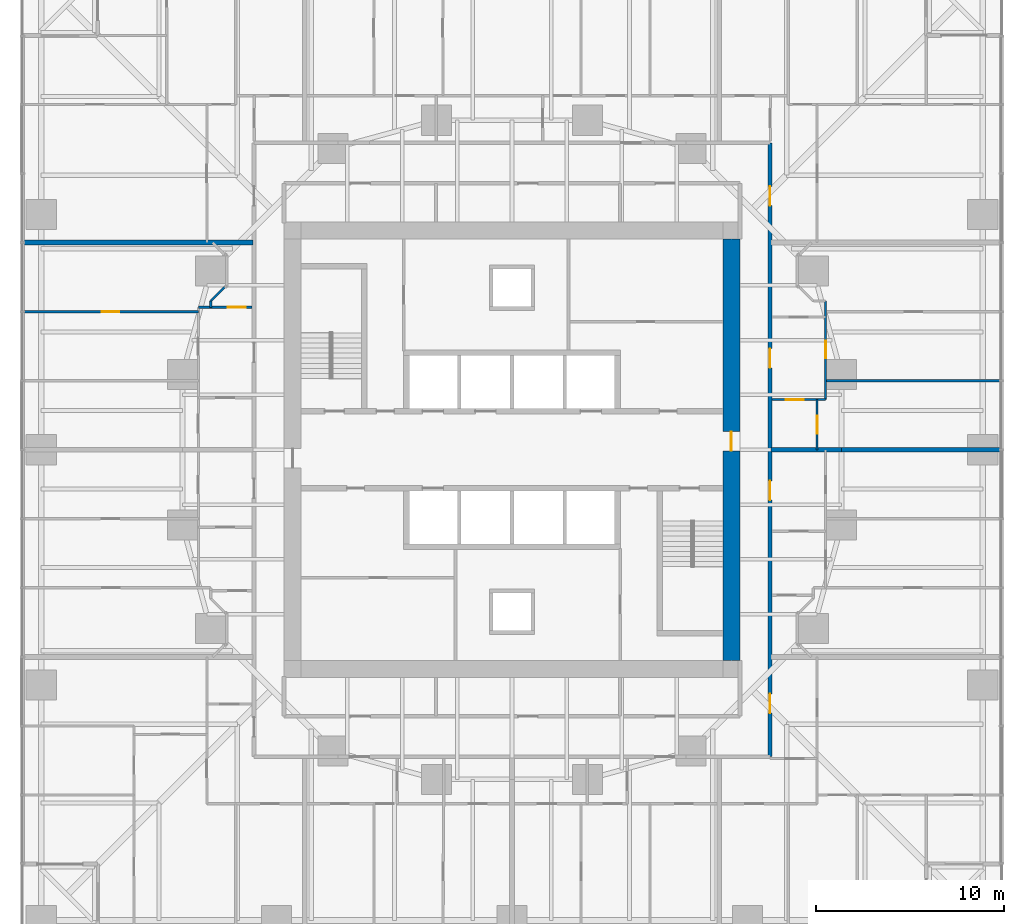
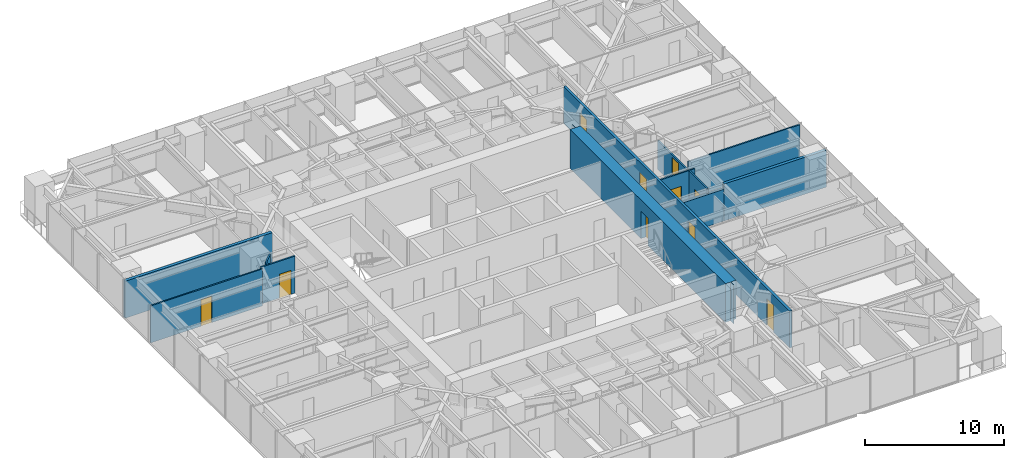
# One storey, part 13 of 18: 13 walls, 10 doors, 10 openings.
"""IFC4 building model written with IfcOpenShell, lengths in metres."""

from ifc_helpers import new_model, si_unit, direction, frame, frame_2d, origin, place, context, subcontext, project, spatial, polyline, rectangle, outline, extrude, material, layer, layer_set, type_object, element, fill, save


model = new_model("IFC4")

# Units and contexts
model_context = context("Model", 3, precision=1e-05, world=origin(), true_north=direction((0.0, 1.0)))
body_context = subcontext(model_context, "Body", "Model", "MODEL_VIEW")
ifc_project = project(units=[si_unit("LENGTHUNIT", "METRE"), si_unit("AREAUNIT", "SQUARE_METRE"), si_unit("VOLUMEUNIT", "CUBIC_METRE"), si_unit("PLANEANGLEUNIT", "RADIAN"), si_unit("MASSUNIT", "GRAM", prefix="KILO")], contexts=[model_context])

# Site, building, storey
site_placement = place(None, origin())
site = spatial("IfcSite", under=ifc_project, at=site_placement, CompositionType="ELEMENT")
building_placement = place(site_placement, origin())
building = spatial("IfcBuilding", under=site, at=building_placement, Name="Torsade Residences", CompositionType="ELEMENT")
storey_placement = place(building_placement, frame((0.0, 0.0, 28.60009765625)))
storey = spatial("IfcBuildingStorey", under=building, at=storey_placement, Name="L07", CompositionType="ELEMENT", Elevation=28.60009765625)

# Wall, opening, door
ifc_material_1 = material(Name="Concrete 80 MPa", Category="concrete")
ifc_layer_1 = layer(ifc_material_1, 0.89990234375)
ifc_layer_set_1 = layer_set([ifc_layer_1], Name="Concrete 80 MPa")
wall_type_1 = type_object("IfcWallType", Name="CORE WALL 900", PredefinedType="SHEAR", material=ifc_layer_set_1)
wall_1_placement = place(storey_placement, frame((51.64990234375, 18.800048828125, 0.0), z_axis=(0.0, 0.0, 1.0), x_axis=(0.0, 1.0, 0.0)))
wall_1 = element("IfcWall", 1, at=wall_1_placement, inside=storey, type_object=wall_type_1, Name="Core wall E L07", PredefinedType="SHEAR", context=body_context, shape_type="SweptSolid", body=[
    extrude(outline(polyline([(0.0, -0.449951171875), (22.39990234375, -0.449951171875), (22.39990234375, -0.02490234375), (22.849853515625, -0.02490234375), (22.849853515625, 0.02490234375), (22.39990234375, 0.02490234375), (22.39990234375, 0.449951171875), (0.0, 0.449951171875), (0.0, 0.02490234375), (-0.449951171875, 0.02490234375), (-0.449951171875, -0.02490234375), (0.0, -0.02490234375), (0.0, -0.449951171875)])), origin(), (0.0, 0.0, 1.0), 3.39990234375),
])
opening_1_placement = place(wall_1_placement, frame((11.139892578125, 0.0, 0.0)))
opening_1 = element("IfcOpeningElement", 2, at=opening_1_placement, cuts=wall_1, Name="Opening D04", PredefinedType="OPENING", context=body_context, shape_type="SweptSolid", body=[
    extrude(rectangle(XDim=1.02001953125, YDim=2.39990234375, at=frame_2d((0.510009765625, 1.199951171875))), frame((0.0, 0.4599609375, 0.0), z_axis=(0.0, -1.0, 0.0), x_axis=(1.0, 0.0, 0.0)), (0.0, 0.0, 1.0), 0.919921875),
])
ifc_material_2 = material(Name="Steel-framed fire door", Category="steel")
door_type_1 = type_object("IfcDoorType", Name="LOBBY SMOKE DOOR 1020x2400", OperationType="NOTDEFINED", PredefinedType="DOOR", material=ifc_material_2)
door_1_placement = place(opening_1_placement, origin())
door_1 = element("IfcDoor", 3, at=door_1_placement, inside=storey, type_object=door_type_1, Name="Lift lobby door E L07", OperationType="SINGLE_SWING_LEFT", OverallHeight=2.39990234375, OverallWidth=1.02001953125, PredefinedType="DOOR", context=body_context, shape_type="SweptSolid", body=[
    extrude(rectangle(XDim=1.02001953125, YDim=2.39990234375, at=frame_2d((0.510009765625, 1.199951171875))), frame((0.0, 0.02490234375, 0.0), z_axis=(0.0, -1.0, 0.0), x_axis=(1.0, 0.0, 0.0)), (0.0, 0.0, 1.0), 0.050048828125),
])
fill(opening_1, door_1)

# Wall, openings, doors
ifc_material_3 = material(Name="Plasterboard on steel stud", Category="steel")
ifc_layer_2 = layer(ifc_material_3, 0.199951171875)
ifc_layer_set_2 = layer_set([ifc_layer_2], Name="Plasterboard on steel stud")
wall_type_2 = type_object("IfcWallType", Name="CORRIDOR WALL 200", PredefinedType="PARTITIONING", material=ifc_layer_set_2)
wall_2_placement = place(storey_placement, frame((53.699951171875, 13.699951171875, 0.0), z_axis=(0.0, 0.0, 1.0), x_axis=(0.0, 1.0, 0.0)))
wall_2 = element("IfcWall", 4, at=wall_2_placement, inside=storey, type_object=wall_type_2, Name="Corridor wall L07", PredefinedType="PARTITIONING", context=body_context, shape_type="SweptSolid", body=[
    extrude(rectangle(XDim=32.60009765625, YDim=0.199951171875, at=frame_2d((16.300048828125, 0.0))), origin(), (0.0, 0.0, 1.0), 3.25),
])
opening_2_placement = place(wall_2_placement, frame((2.31494140625, 0.0, 0.0)))
opening_2 = element("IfcOpeningElement", 5, at=opening_2_placement, cuts=wall_2, Name="Opening D01", PredefinedType="OPENING", context=body_context, shape_type="SweptSolid", body=[
    extrude(rectangle(XDim=1.02001953125, YDim=2.340087890625, at=frame_2d((0.510009765625, 1.169921875))), frame((0.0, 0.10986328125, 0.0), z_axis=(0.0, -1.0, 0.0), x_axis=(1.0, 0.0, 0.0)), (0.0, 0.0, 1.0), 0.219970703125),
])
opening_3_placement = place(wall_2_placement, frame((29.264892578125, 0.0, 0.0)))
opening_3 = element("IfcOpeningElement", 6, at=opening_3_placement, cuts=wall_2, Name="Opening D01", PredefinedType="OPENING", context=body_context, shape_type="SweptSolid", body=[
    extrude(rectangle(XDim=1.02001953125, YDim=2.340087890625, at=frame_2d((0.510009765625, 1.169921875))), frame((0.0, 0.10986328125, 0.0), z_axis=(0.0, -1.0, 0.0), x_axis=(1.0, 0.0, 0.0)), (0.0, 0.0, 1.0), 0.219970703125),
])
opening_4_placement = place(wall_2_placement, frame((20.646240234375, 0.0, 0.0)))
opening_4 = element("IfcOpeningElement", 7, at=opening_4_placement, cuts=wall_2, Name="Opening D01", PredefinedType="OPENING", context=body_context, shape_type="SweptSolid", body=[
    extrude(rectangle(XDim=1.02001953125, YDim=2.340087890625, at=frame_2d((0.510009765625, 1.169921875))), frame((0.0, 0.10986328125, 0.0), z_axis=(0.0, -1.0, 0.0), x_axis=(1.0, 0.0, 0.0)), (0.0, 0.0, 1.0), 0.219970703125),
])
opening_5_placement = place(wall_2_placement, frame((13.6259765625, 0.0, 0.0)))
opening_5 = element("IfcOpeningElement", 8, at=opening_5_placement, cuts=wall_2, Name="Opening D01", PredefinedType="OPENING", context=body_context, shape_type="SweptSolid", body=[
    extrude(rectangle(XDim=1.02001953125, YDim=2.340087890625, at=frame_2d((0.510009765625, 1.169921875))), frame((0.0, 0.10986328125, 0.0), z_axis=(0.0, -1.0, 0.0), x_axis=(1.0, 0.0, 0.0)), (0.0, 0.0, 1.0), 0.219970703125),
])
ifc_material_4 = material(Name="Solid-core timber fire door", Category="wood")
door_type_2 = type_object("IfcDoorType", Name="APARTMENT ENTRY DOOR 1020x2340", OperationType="NOTDEFINED", PredefinedType="DOOR", material=ifc_material_4)
door_2_placement = place(opening_2_placement, origin())
door_2 = element("IfcDoor", 9, at=door_2_placement, inside=storey, type_object=door_type_2, Name="Door Residential corridor to Kitchen and dining", OperationType="SINGLE_SWING_LEFT", OverallHeight=2.340087890625, OverallWidth=1.02001953125, PredefinedType="DOOR", context=body_context, shape_type="SweptSolid", body=[
    extrude(rectangle(XDim=1.02001953125, YDim=2.340087890625, at=frame_2d((0.510009765625, 1.169921875))), frame((0.0, 0.02490234375, 0.0), z_axis=(0.0, -1.0, 0.0), x_axis=(1.0, 0.0, 0.0)), (0.0, 0.0, 1.0), 0.050048828125),
])
fill(opening_2, door_2)
door_3_placement = place(opening_3_placement, origin())
door_3 = element("IfcDoor", 10, at=door_3_placement, inside=storey, type_object=door_type_2, Name="Door Residential corridor to Kitchen and dining", OperationType="SINGLE_SWING_RIGHT", OverallHeight=2.340087890625, OverallWidth=1.02001953125, PredefinedType="DOOR", context=body_context, shape_type="SweptSolid", body=[
    extrude(rectangle(XDim=1.02001953125, YDim=2.340087890625, at=frame_2d((0.510009765625, 1.169921875))), frame((0.0, 0.02490234375, 0.0), z_axis=(0.0, -1.0, 0.0), x_axis=(1.0, 0.0, 0.0)), (0.0, 0.0, 1.0), 0.050048828125),
])
fill(opening_3, door_3)
door_4_placement = place(opening_4_placement, origin())
door_4 = element("IfcDoor", 11, at=door_4_placement, inside=storey, type_object=door_type_2, Name="Door Residential corridor to Kitchen and dining", OperationType="SINGLE_SWING_RIGHT", OverallHeight=2.340087890625, OverallWidth=1.02001953125, PredefinedType="DOOR", context=body_context, shape_type="SweptSolid", body=[
    extrude(rectangle(XDim=1.02001953125, YDim=2.340087890625, at=frame_2d((0.510009765625, 1.169921875))), frame((0.0, 0.02490234375, 0.0), z_axis=(0.0, -1.0, 0.0), x_axis=(1.0, 0.0, 0.0)), (0.0, 0.0, 1.0), 0.050048828125),
])
fill(opening_4, door_4)
door_5_placement = place(opening_5_placement, origin())
door_5 = element("IfcDoor", 12, at=door_5_placement, inside=storey, type_object=door_type_2, Name="Door Residential corridor to Kitchen and dining", OperationType="SINGLE_SWING_LEFT", OverallHeight=2.340087890625, OverallWidth=1.02001953125, PredefinedType="DOOR", context=body_context, shape_type="SweptSolid", body=[
    extrude(rectangle(XDim=1.02001953125, YDim=2.340087890625, at=frame_2d((0.510009765625, 1.169921875))), frame((0.0, 0.02490234375, 0.0), z_axis=(0.0, -1.0, 0.0), x_axis=(1.0, 0.0, 0.0)), (0.0, 0.0, 1.0), 0.050048828125),
])
fill(opening_5, door_5)

# Wall, opening, door
ifc_material_5 = material(Name="Plasterboard on steel stud", Category="steel")
ifc_layer_3 = layer(ifc_material_5, 0.1201171875)
ifc_layer_set_3 = layer_set([ifc_layer_3], Name="Plasterboard on steel stud")
wall_type_3 = type_object("IfcWallType", Name="PARTITION 120", PredefinedType="PARTITIONING", material=ifc_layer_set_3)
wall_3_placement = place(storey_placement, frame((56.64990234375, 32.666015625, 0.0), z_axis=(0.0, 0.0, 1.0), x_axis=(-1.0, 0.0, 0.0)))
wall_3 = element("IfcWall", 13, at=wall_3_placement, inside=storey, type_object=wall_type_3, Name="Partition L07", PredefinedType="PARTITIONING", context=body_context, shape_type="SweptSolid", body=[
    extrude(rectangle(XDim=2.849853515625, YDim=0.1201171875, at=frame_2d((1.4248046875, 0.0))), origin(), (0.0, 0.0, 1.0), 3.25),
])
opening_6_placement = place(wall_3_placement, frame((1.14501953125, 0.0, 0.0)))
opening_6 = element("IfcOpeningElement", 14, at=opening_6_placement, cuts=wall_3, Name="Opening D05", PredefinedType="OPENING", context=body_context, shape_type="SweptSolid", body=[
    extrude(rectangle(XDim=0.9599609375, YDim=2.10009765625, at=frame_2d((0.47998046875, 1.050048828125))), frame((0.0, 0.070068359375, 0.0), z_axis=(0.0, -1.0, 0.0), x_axis=(1.0, 0.0, 0.0)), (0.0, 0.0, 1.0), 0.14013671875),
])
ifc_material_6 = material(Name="Hollow-core timber door in a steel cavity frame", Category="steel")
door_type_3 = type_object("IfcDoorType", Name="BATHROOM CAVITY SLIDING DOOR 960", OperationType="SLIDING_TO_LEFT", PredefinedType="DOOR", material=ifc_material_6)
door_6_placement = place(opening_6_placement, origin())
door_6 = element("IfcDoor", 15, at=door_6_placement, inside=storey, type_object=door_type_3, Name="Door Kitchen and dining to Ensuite", OperationType="SLIDING_TO_LEFT", OverallHeight=2.10009765625, OverallWidth=0.9599609375, PredefinedType="DOOR", context=body_context, shape_type="SweptSolid", body=[
    extrude(rectangle(XDim=0.9599609375, YDim=2.10009765625, at=frame_2d((0.47998046875, 1.050048828125))), frame((0.0, 0.02490234375, 0.0), z_axis=(0.0, -1.0, 0.0), x_axis=(1.0, 0.0, 0.0)), (0.0, 0.0, 1.0), 0.050048828125),
])
fill(opening_6, door_6)

wall_4_placement = place(storey_placement, frame((56.64990234375, 37.89990234375, 0.0), z_axis=(0.0, 0.0, 1.0), x_axis=(0.0, -1.0, 0.0)))
wall_4 = element("IfcWall", 16, at=wall_4_placement, inside=storey, type_object=wall_type_3, Name="Partition L07", PredefinedType="PARTITIONING", context=body_context, shape_type="SweptSolid", body=[
    extrude(rectangle(XDim=5.23388671875, YDim=0.1201171875, at=frame_2d((2.616943359375, 0.0))), origin(), (0.0, 0.0, 1.0), 2.5498046875),
])
opening_7_placement = place(wall_4_placement, frame((2.108642578125, 0.0, 0.0)))
opening_7 = element("IfcOpeningElement", 17, at=opening_7_placement, cuts=wall_4, Name="Opening D02", PredefinedType="OPENING", context=body_context, shape_type="SweptSolid", body=[
    extrude(rectangle(XDim=0.919921875, YDim=2.340087890625, at=frame_2d((0.4599609375, 1.169921875))), frame((0.0, 0.070068359375, 0.0), z_axis=(0.0, -1.0, 0.0), x_axis=(1.0, 0.0, 0.0)), (0.0, 0.0, 1.0), 0.14013671875),
])
ifc_material_7 = material(Name="Hollow-core timber door", Category="wood")
door_type_4 = type_object("IfcDoorType", Name="INTERNAL DOOR 920x2340", OperationType="NOTDEFINED", PredefinedType="DOOR", material=ifc_material_7)
door_7_placement = place(opening_7_placement, origin())
door_7 = element("IfcDoor", 18, at=door_7_placement, inside=storey, type_object=door_type_4, Name="Door Kitchen and dining to Bedroom 2", OperationType="SINGLE_SWING_RIGHT", OverallHeight=2.340087890625, OverallWidth=0.919921875, PredefinedType="DOOR", context=body_context, shape_type="SweptSolid", body=[
    extrude(rectangle(XDim=0.919921875, YDim=2.340087890625, at=frame_2d((0.4599609375, 1.169921875))), frame((0.0, 0.02490234375, 0.0), z_axis=(0.0, -1.0, 0.0), x_axis=(1.0, 0.0, 0.0)), (0.0, 0.0, 1.0), 0.050048828125),
])
fill(opening_7, door_7)

wall_5_placement = place(storey_placement, frame((56.199951171875, 32.666015625, 0.0), z_axis=(0.0, 0.0, 1.0), x_axis=(0.0, -1.0, 0.0)))
wall_5 = element("IfcWall", 19, at=wall_5_placement, inside=storey, type_object=wall_type_3, Name="Partition L07", PredefinedType="PARTITIONING", context=body_context, shape_type="SweptSolid", body=[
    extrude(rectangle(XDim=2.666015625, YDim=0.1201171875, at=frame_2d((1.3330078125, 0.0))), origin(), (0.0, 0.0, 1.0), 3.25),
])
opening_8_placement = place(wall_5_placement, frame((0.85302734375, 0.0, 0.0)))
opening_8 = element("IfcOpeningElement", 20, at=opening_8_placement, cuts=wall_5, Name="Opening D05", PredefinedType="OPENING", context=body_context, shape_type="SweptSolid", body=[
    extrude(rectangle(XDim=0.9599609375, YDim=2.10009765625, at=frame_2d((0.47998046875, 1.050048828125))), frame((0.0, 0.070068359375, 0.0), z_axis=(0.0, -1.0, 0.0), x_axis=(1.0, 0.0, 0.0)), (0.0, 0.0, 1.0), 0.14013671875),
])
door_8_placement = place(opening_8_placement, origin())
door_8 = element("IfcDoor", 21, at=door_8_placement, inside=storey, type_object=door_type_3, Name="Door Ensuite to Living room", OperationType="SLIDING_TO_LEFT", OverallHeight=2.10009765625, OverallWidth=0.9599609375, PredefinedType="DOOR", context=body_context, shape_type="SweptSolid", body=[
    extrude(rectangle(XDim=0.9599609375, YDim=2.10009765625, at=frame_2d((0.47998046875, 1.050048828125))), frame((0.0, 0.02490234375, 0.0), z_axis=(0.0, -1.0, 0.0), x_axis=(1.0, 0.0, 0.0)), (0.0, 0.0, 1.0), 0.050048828125),
])
fill(opening_8, door_8)

# Wall
wall_6_placement = place(storey_placement, frame((56.64990234375, 33.666748046875, 0.0), z_axis=(0.0, 0.0, 1.0), x_axis=(1.0, 0.0, 0.0)))
element("IfcWall", 22, at=wall_6_placement, inside=storey, type_object=wall_type_3, Name="Partition L07", PredefinedType="PARTITIONING", context=body_context, shape_type="SweptSolid", body=[
    extrude(rectangle(XDim=9.31005859375, YDim=0.1201171875, at=frame_2d((4.655029296875, 0.0))), origin(), (0.0, 0.0, 1.0), 3.25),
])

# Wall, opening, door
wall_7_placement = place(storey_placement, frame((23.35009765625, 37.564697265625, 0.0), z_axis=(0.0, 0.0, 1.0), x_axis=(1.0, 0.0, 0.0)))
wall_7 = element("IfcWall", 23, at=wall_7_placement, inside=storey, type_object=wall_type_3, Name="Partition L07", PredefinedType="PARTITIONING", context=body_context, shape_type="SweptSolid", body=[
    extrude(rectangle(XDim=2.849853515625, YDim=0.1201171875, at=frame_2d((1.4248046875, 0.0))), origin(), (0.0, 0.0, 1.0), 3.25),
])
opening_9_placement = place(wall_7_placement, frame((1.544921875, 0.0, 0.0)))
opening_9 = element("IfcOpeningElement", 24, at=opening_9_placement, cuts=wall_7, Name="Opening D05", PredefinedType="OPENING", context=body_context, shape_type="SweptSolid", body=[
    extrude(rectangle(XDim=0.9599609375, YDim=2.10009765625, at=frame_2d((0.47998046875, 1.050048828125))), frame((0.0, 0.070068359375, 0.0), z_axis=(0.0, -1.0, 0.0), x_axis=(1.0, 0.0, 0.0)), (0.0, 0.0, 1.0), 0.14013671875),
])
door_9_placement = place(opening_9_placement, origin())
door_9 = element("IfcDoor", 25, at=door_9_placement, inside=storey, type_object=door_type_3, Name="Door Kitchen and dining to Bathroom", OperationType="SLIDING_TO_LEFT", OverallHeight=2.10009765625, OverallWidth=0.9599609375, PredefinedType="DOOR", context=body_context, shape_type="SweptSolid", body=[
    extrude(rectangle(XDim=0.9599609375, YDim=2.10009765625, at=frame_2d((0.47998046875, 1.050048828125))), frame((0.0, 0.02490234375, 0.0), z_axis=(0.0, -1.0, 0.0), x_axis=(1.0, 0.0, 0.0)), (0.0, 0.0, 1.0), 0.050048828125),
])
fill(opening_9, door_9)

# Walls
wall_8_placement = place(storey_placement, frame((24.0, 37.564697265625, 0.0), z_axis=(0.0, 0.0, 1.0), x_axis=(0.0, 1.0, 0.0)))
element("IfcWall", 26, at=wall_8_placement, inside=storey, type_object=wall_type_3, Name="Partition L07", PredefinedType="PARTITIONING", context=body_context, shape_type="SweptSolid", body=[
    extrude(rectangle(XDim=0.335205078125, YDim=0.1201171875, at=frame_2d((0.16748046875, 0.0))), origin(), (0.0, 0.0, 1.0), 3.25),
])
wall_9_placement = place(storey_placement, frame((24.0, 37.89990234375, 0.0), z_axis=(0.0, 0.0, 1.0), x_axis=(0.707106781187, 0.707106781187, 0.0)))
element("IfcWall", 27, at=wall_9_placement, inside=storey, type_object=wall_type_3, Name="Partition L07", PredefinedType="PARTITIONING", context=body_context, shape_type="SweptSolid", body=[
    extrude(rectangle(XDim=1.060546875, YDim=0.1201171875, at=frame_2d((0.5302734375, 0.0))), origin(), (0.0, 0.0, 1.0), 3.25),
])

# Wall, opening, door
wall_10_placement = place(storey_placement, frame((23.35009765625, 37.333251953125, 0.0), z_axis=(0.0, 0.0, 1.0), x_axis=(-1.0, 0.0, 0.0)))
wall_10 = element("IfcWall", 28, at=wall_10_placement, inside=storey, type_object=wall_type_3, Name="Partition L07", PredefinedType="PARTITIONING", context=body_context, shape_type="SweptSolid", body=[
    extrude(rectangle(XDim=9.31005859375, YDim=0.1201171875, at=frame_2d((4.655029296875, 0.0))), origin(), (0.0, 0.0, 1.0), 3.25),
])
opening_10_placement = place(wall_10_placement, frame((4.215087890625, 0.0, 0.0)))
opening_10 = element("IfcOpeningElement", 29, at=opening_10_placement, cuts=wall_10, Name="Opening D02", PredefinedType="OPENING", context=body_context, shape_type="SweptSolid", body=[
    extrude(rectangle(XDim=0.919921875, YDim=2.340087890625, at=frame_2d((0.4599609375, 1.169921875))), frame((0.0, 0.070068359375, 0.0), z_axis=(0.0, -1.0, 0.0), x_axis=(1.0, 0.0, 0.0)), (0.0, 0.0, 1.0), 0.14013671875),
])
door_10_placement = place(opening_10_placement, origin())
door_10 = element("IfcDoor", 30, at=door_10_placement, inside=storey, type_object=door_type_4, Name="Door Bedroom 2 to Living room", OperationType="SINGLE_SWING_RIGHT", OverallHeight=2.340087890625, OverallWidth=0.919921875, PredefinedType="DOOR", context=body_context, shape_type="SweptSolid", body=[
    extrude(rectangle(XDim=0.919921875, YDim=2.340087890625, at=frame_2d((0.4599609375, 1.169921875))), frame((0.0, 0.02490234375, 0.0), z_axis=(0.0, -1.0, 0.0), x_axis=(1.0, 0.0, 0.0)), (0.0, 0.0, 1.0), 0.050048828125),
])
fill(opening_10, door_10)

# Walls
ifc_material_8 = material(Name="Masonry-lined stud party wall", Category="masonry")
ifc_layer_4 = layer(ifc_material_8, 0.25)
ifc_layer_set_4 = layer_set([ifc_layer_4], Name="Masonry-lined stud party wall")
wall_type_4 = type_object("IfcWallType", Name="PARTY WALL 250", PredefinedType="PARTITIONING", material=ifc_layer_set_4)
wall_11_placement = place(storey_placement, frame((14.0, 41.0, 0.0), z_axis=(0.0, 0.0, 1.0), x_axis=(1.0, 0.0, 0.0)))
element("IfcWall", 31, at=wall_11_placement, inside=storey, type_object=wall_type_4, Name="Party wall L07", PredefinedType="PARTITIONING", context=body_context, shape_type="SweptSolid", body=[
    extrude(rectangle(XDim=12.239990234375, YDim=0.25, at=frame_2d((6.1201171875, 0.0))), origin(), (0.0, 0.0, 1.0), 3.25),
])
wall_12_placement = place(storey_placement, frame((66.0, 30.0, 0.0), z_axis=(0.0, 0.0, 1.0), x_axis=(-1.0, 0.0, 0.0)))
element("IfcWall", 32, at=wall_12_placement, inside=storey, type_object=wall_type_4, Name="Party wall L07", PredefinedType="PARTITIONING", context=body_context, shape_type="SweptSolid", body=[
    extrude(rectangle(XDim=8.5, YDim=0.25, at=frame_2d((4.25, 0.0))), origin(), (0.0, 0.0, 1.0), 3.25),
])
wall_13_placement = place(storey_placement, frame((57.5, 30.0, 0.0), z_axis=(0.0, 0.0, 1.0), x_axis=(-1.0, 0.0, 0.0)))
element("IfcWall", 33, at=wall_13_placement, inside=storey, type_object=wall_type_4, Name="Party wall L07", PredefinedType="PARTITIONING", context=body_context, shape_type="SweptSolid", body=[
    extrude(rectangle(XDim=3.739990234375, YDim=0.25, at=frame_2d((1.8701171875, 0.0))), origin(), (0.0, 0.0, 1.0), 2.7958984375),
])

save(model, "model.ifc")
